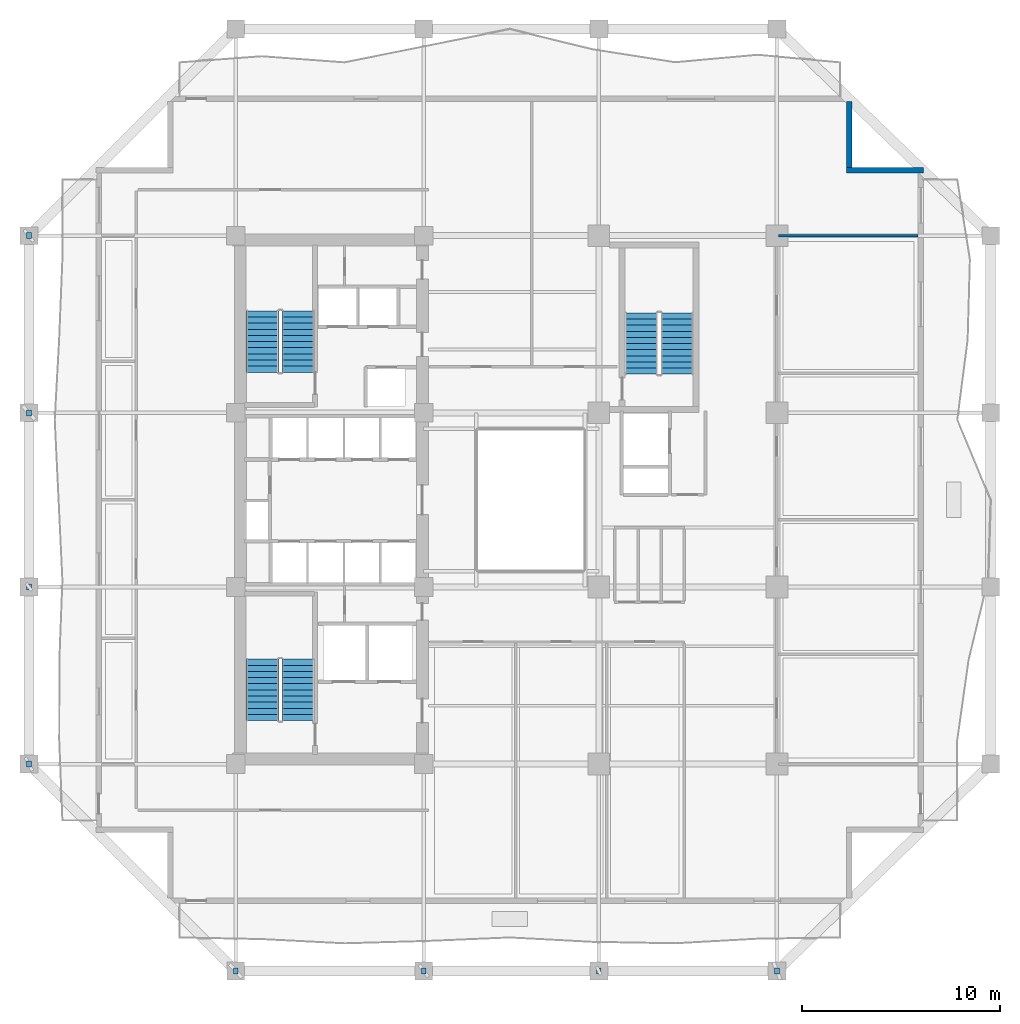
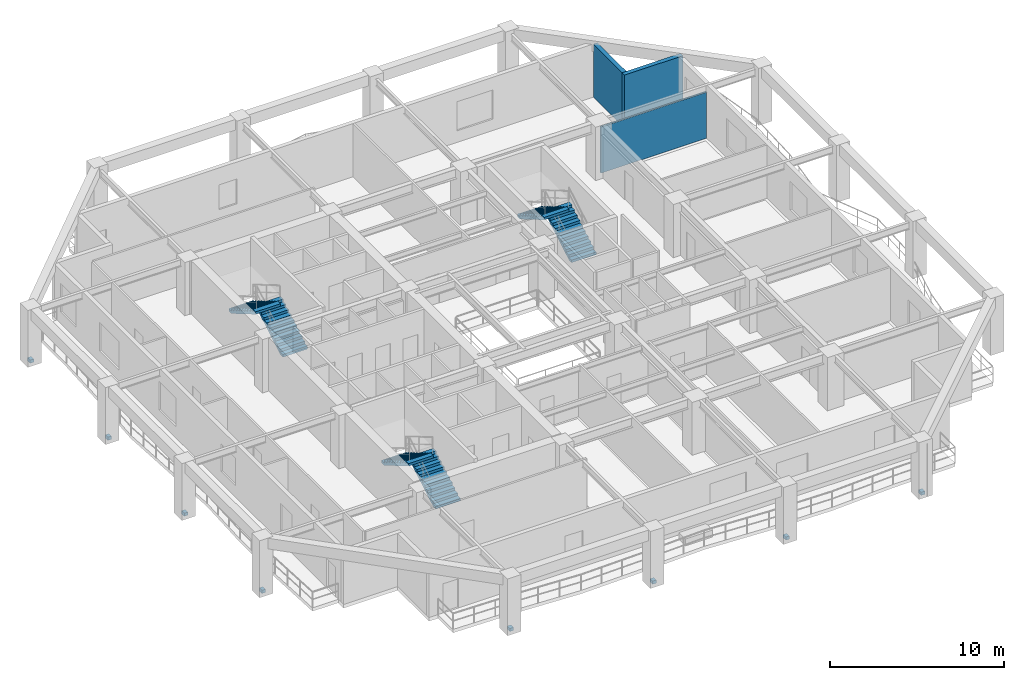
# One storey, part 6 of 11: 8 discrete accessories, 6 stair flights, 3 walls, 3 elements without a shape of their own.
"""IFC4 building model written with IfcOpenShell, lengths in metres."""

from ifc_helpers import new_model, si_unit, direction, frame, frame_2d, origin, origin_2d, place, context, subcontext, project, spatial, polyline, rectangle, outline, extrude, material, layer, layer_set, type_object, element, aggregate, save


model = new_model("IFC4")

# Units and contexts
model_context = context("Model", 3, precision=1e-05, world=origin(), true_north=direction((0.0, 1.0)))
body_context = subcontext(model_context, "Body", "Model", "MODEL_VIEW")
ifc_project = project(units=[si_unit("LENGTHUNIT", "METRE"), si_unit("AREAUNIT", "SQUARE_METRE"), si_unit("VOLUMEUNIT", "CUBIC_METRE"), si_unit("PLANEANGLEUNIT", "RADIAN"), si_unit("MASSUNIT", "GRAM", prefix="KILO")], contexts=[model_context])

# Site, building, storey
site_placement = place(None, origin())
site = spatial("IfcSite", under=ifc_project, at=site_placement, CompositionType="ELEMENT")
building_placement = place(site_placement, origin())
building = spatial("IfcBuilding", under=site, at=building_placement, Name="Kundavana Baori Tower", CompositionType="ELEMENT")
storey_placement = place(building_placement, frame((0.0, 0.0, 86.0)))
storey = spatial("IfcBuildingStorey", under=building, at=storey_placement, Name="L20", CompositionType="ELEMENT", Elevation=86.0)

# Walls
ifc_material_1 = material(Name="Red-Buff Dholpur Sandstone Cladding on Concrete C40/50", Category="masonry")
ifc_layer_1 = layer(ifc_material_1, 0.280029296875, Name="WL-EXT-SAND-280")
ifc_layer_set_1 = layer_set([ifc_layer_1], Name="Red-Buff Dholpur Sandstone Cladding on Concrete C40/50")
wall_type_1 = type_object("IfcWallType", Name="WL-EXT-SAND-280", PredefinedType="STANDARD", material=ifc_layer_set_1)
wall_1_placement = place(storey_placement, frame((50.199951171875, 45.260009765625, 0.0), z_axis=(0.0, 0.0, 1.0), x_axis=(-1.0, 0.0, 0.0)))
element("IfcWall", 1, at=wall_1_placement, inside=storey, type_object=wall_type_1, Name="L20 Exterior Insulated Facade Wall 05", PredefinedType="STANDARD", context=body_context, shape_type="SweptSolid", body=[
    extrude(rectangle(XDim=3.8798828125, YDim=0.280029296875, at=frame_2d((1.93994140625, 0.0))), origin(), (0.0, 0.0, 1.0), 3.739990234375),
])
wall_2_placement = place(storey_placement, frame((46.4599609375, 45.39990234375, 0.0), z_axis=(0.0, 0.0, 1.0), x_axis=(0.0, 1.0, 0.0)))
element("IfcWall", 2, at=wall_2_placement, inside=storey, type_object=wall_type_1, Name="L20 Exterior Insulated Facade Wall 06", PredefinedType="STANDARD", context=body_context, shape_type="SweptSolid", body=[
    extrude(rectangle(XDim=3.320068359375, YDim=0.280029296875, at=frame_2d((1.66015625, 0.0))), origin(), (0.0, 0.0, 1.0), 3.739990234375),
])
ifc_material_2 = material(Name="Autoclaved Aerated Concrete Blockwork Masonry", Category="masonry")
ifc_layer_2 = layer(ifc_material_2, 0.125, Name="WL-WET-120")
ifc_layer_set_2 = layer_set([ifc_layer_2], Name="Autoclaved Aerated Concrete Blockwork Masonry")
wall_type_2 = type_object("IfcWallType", Name="WL-WET-120", PredefinedType="PLUMBINGWALL", material=ifc_layer_set_2)
wall_3_placement = place(storey_placement, frame((42.8798828125, 41.949951171875, 0.0), z_axis=(0.0, 0.0, 1.0), x_axis=(1.0, 0.0, 0.0)))
element("IfcWall", 3, at=wall_3_placement, inside=storey, type_object=wall_type_2, Name="WL-L20-OFEN", PredefinedType="PLUMBINGWALL", context=body_context, shape_type="SweptSolid", body=[
    extrude(rectangle(XDim=7.0400390625, YDim=0.125, at=frame_2d((3.52001953125, 0.0))), origin(), (0.0, 0.0, 1.0), 3.239990234375),
])

# Stair, stair flights
ifc_material_3 = material(Name="Concrete C40/50", Category="concrete")
stair_type = type_object("IfcStairType", Name="STR-DOG-1650", PredefinedType="HALF_TURN_STAIR", material=ifc_material_3)
stair_1_placement = place(storey_placement, origin())
stair_1 = element("IfcStair", 4, at=stair_1_placement, inside=storey, type_object=stair_type, Name="L20 Protected Exit Stair ST1", PredefinedType="HALF_TURN_STAIR")
ifc_material_4 = material(Name="Concrete C40/50", Category="concrete")
stair_flight_type = type_object("IfcStairFlightType", Name="SFL-RC-1650", PredefinedType="STRAIGHT", material=ifc_material_4)
stair_flight_1_placement = place(storey_placement, frame((18.614990234375, 17.449951171875, 0.0), z_axis=(0.0, 0.0, 1.0), x_axis=(0.0, 1.0, 0.0)))
stair_flight_1 = element("IfcStairFlight", 5, at=stair_flight_1_placement, type_object=stair_flight_type, Name="ST1 flight 1", NumberOfRisers=11, NumberOfTreads=10, PredefinedType="STRAIGHT", RiserHeight=0.181818182, TreadLength=0.31, context=body_context, shape_type="SweptSolid", body=[
    extrude(outline(polyline([(0.0, 0.0), (0.0, 0.181884765625), (0.31005859375, 0.181884765625), (0.31005859375, 0.363525390625), (0.6201171875, 0.363525390625), (0.6201171875, 0.54541015625), (0.929931640625, 0.54541015625), (0.929931640625, 0.727294921875), (1.239990234375, 0.727294921875), (1.239990234375, 0.9091796875), (1.550048828125, 0.9091796875), (1.550048828125, 1.0908203125), (1.860107421875, 1.0908203125), (1.860107421875, 1.272705078125), (2.169921875, 1.272705078125), (2.169921875, 1.45458984375), (2.47998046875, 1.45458984375), (2.47998046875, 1.636474609375), (2.7900390625, 1.636474609375), (2.7900390625, 1.818115234375), (3.10009765625, 1.818115234375), (3.10009765625, 2.0), (3.10009765625, 1.644287109375), (0.29638671875, 0.0), (0.0, 0.0)])), frame((0.0, 0.824951171875, 0.0), z_axis=(0.0, -1.0, 0.0), x_axis=(1.0, 0.0, 0.0)), (0.0, 0.0, 1.0), 1.64990234375),
])
stair_flight_2_placement = place(storey_placement, frame((16.804931640625, 20.550048828125, 2.0), z_axis=(0.0, 0.0, 1.0), x_axis=(0.0, -1.0, 0.0)))
stair_flight_2 = element("IfcStairFlight", 6, at=stair_flight_2_placement, type_object=stair_flight_type, Name="ST1 flight 2", NumberOfRisers=11, NumberOfTreads=10, PredefinedType="STRAIGHT", RiserHeight=0.181818182, TreadLength=0.31, context=body_context, shape_type="SweptSolid", body=[
    extrude(outline(polyline([(0.0, 0.0), (0.0, 0.181884765625), (0.31005859375, 0.181884765625), (0.31005859375, 0.363525390625), (0.6201171875, 0.363525390625), (0.6201171875, 0.54541015625), (0.929931640625, 0.54541015625), (0.929931640625, 0.727294921875), (1.239990234375, 0.727294921875), (1.239990234375, 0.9091796875), (1.550048828125, 0.9091796875), (1.550048828125, 1.0908203125), (1.860107421875, 1.0908203125), (1.860107421875, 1.272705078125), (2.169921875, 1.272705078125), (2.169921875, 1.45458984375), (2.47998046875, 1.45458984375), (2.47998046875, 1.636474609375), (2.7900390625, 1.636474609375), (2.7900390625, 1.818115234375), (3.10009765625, 1.818115234375), (3.10009765625, 2.0), (3.10009765625, 1.644287109375), (0.29638671875, 0.0), (0.0, 0.0)])), frame((0.0, 0.824951171875, 0.0), z_axis=(0.0, -1.0, 0.0), x_axis=(1.0, 0.0, 0.0)), (0.0, 0.0, 1.0), 1.64990234375),
])
aggregate(stair_1, [stair_flight_1, stair_flight_2])

stair_2_placement = place(storey_placement, origin())
stair_2 = element("IfcStair", 7, at=stair_2_placement, inside=storey, type_object=stair_type, Name="L20 Protected Exit Stair ST2", PredefinedType="HALF_TURN_STAIR")
stair_flight_3_placement = place(storey_placement, frame((18.614990234375, 35.050048828125, 0.0), z_axis=(0.0, 0.0, 1.0), x_axis=(0.0, 1.0, 0.0)))
stair_flight_3 = element("IfcStairFlight", 8, at=stair_flight_3_placement, type_object=stair_flight_type, Name="ST2 flight 1", NumberOfRisers=11, NumberOfTreads=10, PredefinedType="STRAIGHT", RiserHeight=0.181818182, TreadLength=0.31, context=body_context, shape_type="SweptSolid", body=[
    extrude(outline(polyline([(0.0, 0.0), (0.0, 0.181884765625), (0.31005859375, 0.181884765625), (0.31005859375, 0.363525390625), (0.6201171875, 0.363525390625), (0.6201171875, 0.54541015625), (0.929931640625, 0.54541015625), (0.929931640625, 0.727294921875), (1.239990234375, 0.727294921875), (1.239990234375, 0.9091796875), (1.550048828125, 0.9091796875), (1.550048828125, 1.0908203125), (1.860107421875, 1.0908203125), (1.860107421875, 1.272705078125), (2.169921875, 1.272705078125), (2.169921875, 1.45458984375), (2.47998046875, 1.45458984375), (2.47998046875, 1.636474609375), (2.7900390625, 1.636474609375), (2.7900390625, 1.818115234375), (3.10009765625, 1.818115234375), (3.10009765625, 2.0), (3.10009765625, 1.644287109375), (0.29638671875, 0.0), (0.0, 0.0)])), frame((0.0, 0.824951171875, 0.0), z_axis=(0.0, -1.0, 0.0), x_axis=(1.0, 0.0, 0.0)), (0.0, 0.0, 1.0), 1.64990234375),
])
stair_flight_4_placement = place(storey_placement, frame((16.804931640625, 38.14990234375, 2.0), z_axis=(0.0, 0.0, 1.0), x_axis=(0.0, -1.0, 0.0)))
stair_flight_4 = element("IfcStairFlight", 9, at=stair_flight_4_placement, type_object=stair_flight_type, Name="ST2 flight 2", NumberOfRisers=11, NumberOfTreads=10, PredefinedType="STRAIGHT", RiserHeight=0.181818182, TreadLength=0.31, context=body_context, shape_type="SweptSolid", body=[
    extrude(outline(polyline([(0.0, 0.0), (0.0, 0.181884765625), (0.31005859375, 0.181884765625), (0.31005859375, 0.363525390625), (0.6201171875, 0.363525390625), (0.6201171875, 0.54541015625), (0.929931640625, 0.54541015625), (0.929931640625, 0.727294921875), (1.239990234375, 0.727294921875), (1.239990234375, 0.9091796875), (1.550048828125, 0.9091796875), (1.550048828125, 1.0908203125), (1.860107421875, 1.0908203125), (1.860107421875, 1.272705078125), (2.169921875, 1.272705078125), (2.169921875, 1.45458984375), (2.47998046875, 1.45458984375), (2.47998046875, 1.636474609375), (2.7900390625, 1.636474609375), (2.7900390625, 1.818115234375), (3.10009765625, 1.818115234375), (3.10009765625, 2.0), (3.10009765625, 1.644287109375), (0.29638671875, 0.0), (0.0, 0.0)])), frame((0.0, 0.824951171875, 0.0), z_axis=(0.0, -1.0, 0.0), x_axis=(1.0, 0.0, 0.0)), (0.0, 0.0, 1.0), 1.64990234375),
])
aggregate(stair_2, [stair_flight_3, stair_flight_4])

stair_3_placement = place(storey_placement, origin())
stair_3 = element("IfcStair", 10, at=stair_3_placement, inside=storey, type_object=stair_type, Name="L20 Protected Exit Stair ST3", PredefinedType="HALF_TURN_STAIR")
stair_flight_5_placement = place(storey_placement, frame((37.7548828125, 34.949951171875, 0.0), z_axis=(0.0, 0.0, 1.0), x_axis=(0.0, 1.0, 0.0)))
stair_flight_5 = element("IfcStairFlight", 11, at=stair_flight_5_placement, type_object=stair_flight_type, Name="ST3 flight 1", NumberOfRisers=11, NumberOfTreads=10, PredefinedType="STRAIGHT", RiserHeight=0.181818182, TreadLength=0.31, context=body_context, shape_type="SweptSolid", body=[
    extrude(outline(polyline([(0.0, 0.0), (0.0, 0.181884765625), (0.31005859375, 0.181884765625), (0.31005859375, 0.363525390625), (0.6201171875, 0.363525390625), (0.6201171875, 0.54541015625), (0.929931640625, 0.54541015625), (0.929931640625, 0.727294921875), (1.239990234375, 0.727294921875), (1.239990234375, 0.9091796875), (1.550048828125, 0.9091796875), (1.550048828125, 1.0908203125), (1.860107421875, 1.0908203125), (1.860107421875, 1.272705078125), (2.169921875, 1.272705078125), (2.169921875, 1.45458984375), (2.47998046875, 1.45458984375), (2.47998046875, 1.636474609375), (2.7900390625, 1.636474609375), (2.7900390625, 1.818115234375), (3.10009765625, 1.818115234375), (3.10009765625, 2.0), (3.10009765625, 1.644287109375), (0.29638671875, 0.0), (0.0, 0.0)])), frame((0.0, 0.824951171875, 0.0), z_axis=(0.0, -1.0, 0.0), x_axis=(1.0, 0.0, 0.0)), (0.0, 0.0, 1.0), 1.64990234375),
])
stair_flight_6_placement = place(storey_placement, frame((35.945068359375, 38.050048828125, 2.0), z_axis=(0.0, 0.0, 1.0), x_axis=(0.0, -1.0, 0.0)))
stair_flight_6 = element("IfcStairFlight", 12, at=stair_flight_6_placement, type_object=stair_flight_type, Name="ST3 flight 2", NumberOfRisers=11, NumberOfTreads=10, PredefinedType="STRAIGHT", RiserHeight=0.181818182, TreadLength=0.31, context=body_context, shape_type="SweptSolid", body=[
    extrude(outline(polyline([(0.0, 0.0), (0.0, 0.181884765625), (0.31005859375, 0.181884765625), (0.31005859375, 0.363525390625), (0.6201171875, 0.363525390625), (0.6201171875, 0.54541015625), (0.929931640625, 0.54541015625), (0.929931640625, 0.727294921875), (1.239990234375, 0.727294921875), (1.239990234375, 0.9091796875), (1.550048828125, 0.9091796875), (1.550048828125, 1.0908203125), (1.860107421875, 1.0908203125), (1.860107421875, 1.272705078125), (2.169921875, 1.272705078125), (2.169921875, 1.45458984375), (2.47998046875, 1.45458984375), (2.47998046875, 1.636474609375), (2.7900390625, 1.636474609375), (2.7900390625, 1.818115234375), (3.10009765625, 1.818115234375), (3.10009765625, 2.0), (3.10009765625, 1.644287109375), (0.29638671875, 0.0), (0.0, 0.0)])), frame((0.0, 0.824951171875, 0.0), z_axis=(0.0, -1.0, 0.0), x_axis=(1.0, 0.0, 0.0)), (0.0, 0.0, 1.0), 1.64990234375),
])
aggregate(stair_3, [stair_flight_5, stair_flight_6])

# Discrete accessories
ifc_material_5 = material(Name="Structural Steel S355JR", Category="steel")
discrete_accessory_type = type_object("IfcDiscreteAccessoryType", Name="ACC-BRK-FIN", PredefinedType="BRACKET", material=ifc_material_5)
for number, where, z_axis, x_axis, name in (
    (13, (15.449951171875, 4.800048828125, 0.0), (0.0, 0.0, 1.0), (1.0, 0.0, 0.0), "L20 Stainless Fin Anchor Bracket 1"),
    (14, (24.949951171875, 4.800048828125, 0.0), (0.0, 0.0, 1.0), (1.0, 0.0, 0.0), "L20 Stainless Fin Anchor Bracket 2"),
    (15, (33.800048828125, 4.800048828125, 0.0), (0.0, 0.0, 1.0), (1.0, 0.0, 0.0), "L20 Stainless Fin Anchor Bracket 3"),
    (16, (42.800048828125, 4.800048828125, 0.0), (0.0, 0.0, 1.0), (1.0, 0.0, 0.0), "L20 Stainless Fin Anchor Bracket 4"),
    (17, (5.0, 15.25, 0.0), (0.0, 0.0, 1.0), (1.0, 0.0, 0.0), "L20 Stainless Fin Anchor Bracket 5"),
    (18, (5.0, 24.199951171875, 0.0), (0.0, 0.0, 1.0), (1.0, 0.0, 0.0), "L20 Stainless Fin Anchor Bracket 6"),
    (19, (5.0, 33.0, 0.0), (0.0, 0.0, 1.0), (1.0, 0.0, 0.0), "L20 Stainless Fin Anchor Bracket 7"),
    (20, (5.0, 41.949951171875, 0.0), (0.0, 0.0, 1.0), (1.0, 0.0, 0.0), "L20 Stainless Fin Anchor Bracket 8"),
):
    element("IfcDiscreteAccessory", number, at=place(storey_placement, frame(where, z_axis=z_axis, x_axis=x_axis)), inside=storey, type_object=discrete_accessory_type, Name=name, PredefinedType="BRACKET", context=body_context, shape_type="SweptSolid", body=[
        extrude(rectangle(XDim=0.239990234375, YDim=0.300048828125, at=origin_2d()), origin(), (0.0, 0.0, 1.0), 0.219970703125),
    ])

save(model, "model.ifc")
